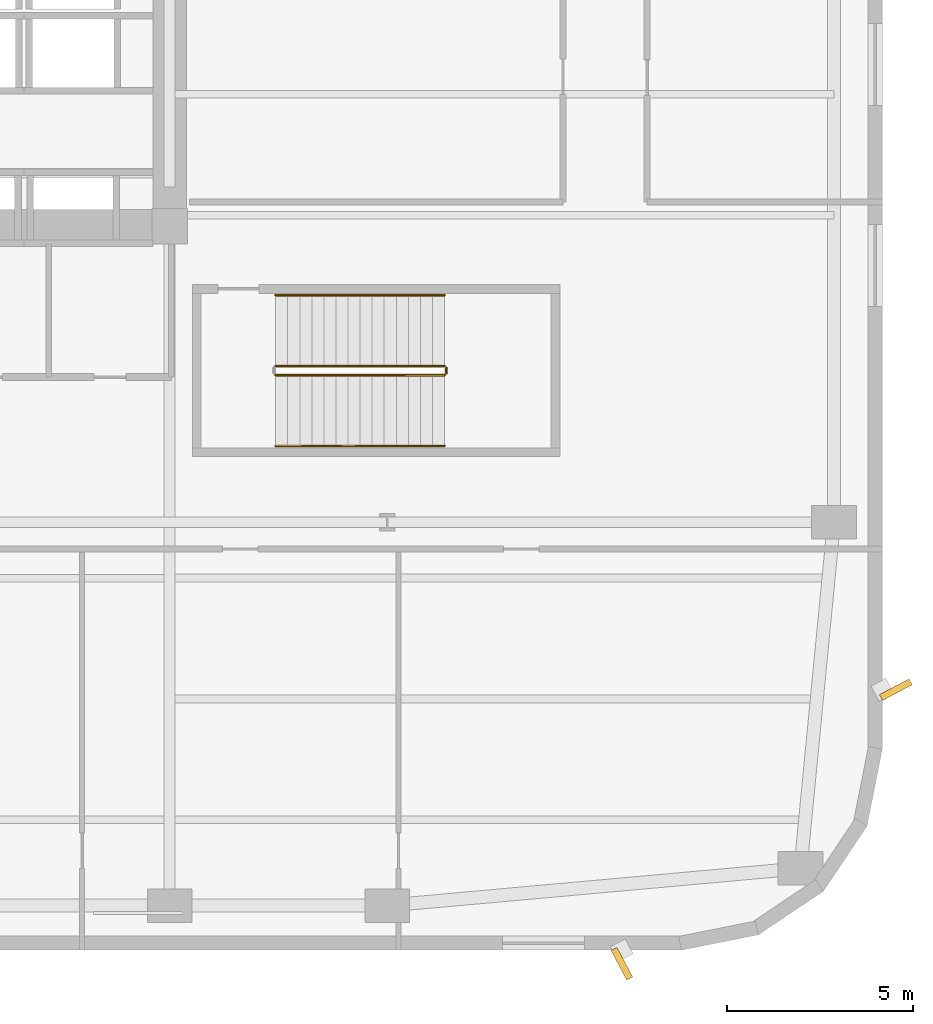
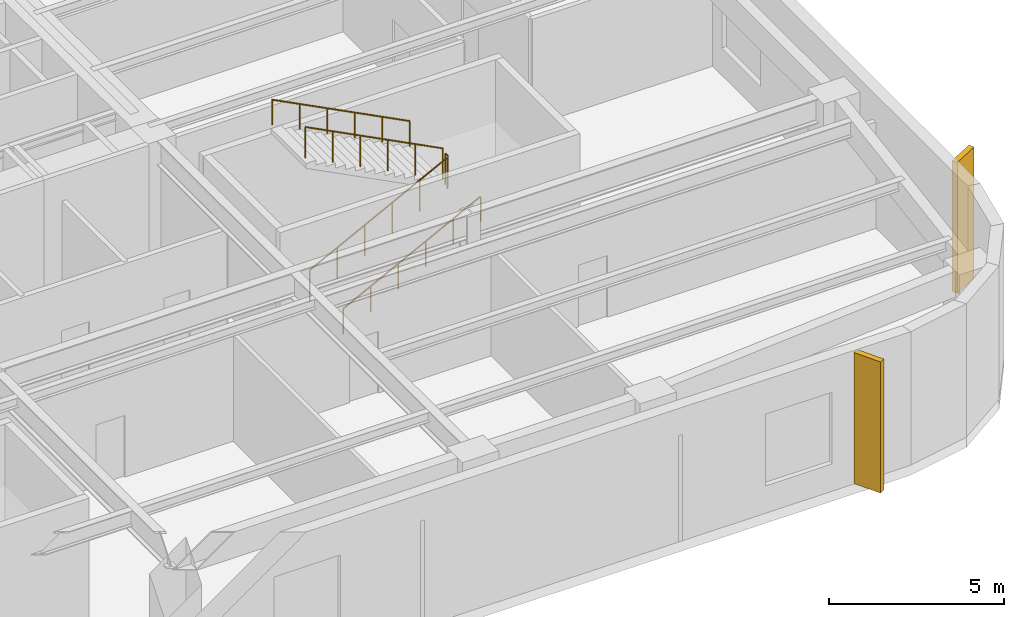
# One storey, part 21 of 22: 5 railings, 2 shading devices.
"""IFC4 building model written with IfcOpenShell, lengths in metres."""

from ifc_helpers import new_model, si_unit, direction, frame, origin, origin_2d, place, context, subcontext, project, spatial, rectangle, circle, extrude, material, type_object, element, save


model = new_model("IFC4")

# Units and contexts
model_context = context("Model", 3, precision=1e-05, world=origin(), true_north=direction((0.0, 1.0)))
body_context = subcontext(model_context, "Body", "Model", "MODEL_VIEW")
ifc_project = project(units=[si_unit("LENGTHUNIT", "METRE"), si_unit("AREAUNIT", "SQUARE_METRE"), si_unit("VOLUMEUNIT", "CUBIC_METRE"), si_unit("PLANEANGLEUNIT", "RADIAN"), si_unit("MASSUNIT", "GRAM", prefix="KILO")], contexts=[model_context])

# Site, building, storey
site_placement = place(None, origin())
site = spatial("IfcSite", under=ifc_project, at=site_placement, CompositionType="ELEMENT")
building_placement = place(site_placement, origin())
building = spatial("IfcBuilding", under=site, at=building_placement, Name="Kolvaren Arena Tower", CompositionType="ELEMENT")
storey_placement = place(building_placement, frame((0.0, 0.0, 13.0)))
storey = spatial("IfcBuildingStorey", under=building, at=storey_placement, Name="L02", CompositionType="ELEMENT", Elevation=13.0)

# Railings
ifc_material_1 = material(Name="Painted galvanized steel", Category="steel")
railing_type_1 = type_object("IfcRailingType", Name="GUARD-ST-110", PredefinedType="GUARDRAIL", material=ifc_material_1)
railing_1_placement = place(storey_placement, frame((63.199951171875, 15.449951171875, 0.166748046875)))
element("IfcRailing", 1, at=railing_1_placement, inside=storey, type_object=railing_type_1, Name="L02 ST-A4 stair guard 1", PredefinedType="GUARDRAIL", context=body_context, shape_type="SweptSolid", body=[
    extrude(circle(Radius=0.02392578125, at=origin_2d()), frame((0.0, 0.0, 1.076171875), z_axis=(0.889257211316, 0.0, 0.457407490234), x_axis=(0.0, 1.0, 0.0)), (0.0, 0.0, 1.0), 5.10107421875),
    extrude(circle(Radius=0.02099609375, at=origin_2d()), origin(), (0.0, 0.0, 1.0), 1.052001953125),
    extrude(circle(Radius=0.02099609375, at=origin_2d()), frame((0.9072265625, 0.0, 0.466552734375)), (0.0, 0.0, 1.0), 1.052001953125),
    extrude(circle(Radius=0.02099609375, at=origin_2d()), frame((1.814453125, 0.0, 0.933349609375)), (0.0, 0.0, 1.0), 1.052001953125),
    extrude(circle(Radius=0.02099609375, at=origin_2d()), frame((2.7216796875, 0.0, 1.39990234375)), (0.0, 0.0, 1.0), 1.052001953125),
    extrude(circle(Radius=0.02099609375, at=origin_2d()), frame((3.62890625, 0.0, 1.86669921875)), (0.0, 0.0, 1.0), 1.052001953125),
    extrude(circle(Radius=0.02099609375, at=origin_2d()), frame((4.5361328125, 0.0, 2.333251953125)), (0.0, 0.0, 1.0), 1.052001953125),
])
railing_2_placement = place(storey_placement, frame((67.785888671875, 15.5, 2.5)))
element("IfcRailing", 2, at=railing_2_placement, inside=storey, type_object=railing_type_1, Name="L02 ST-A4 stair guard 2", PredefinedType="GUARDRAIL", context=body_context, shape_type="SweptSolid", body=[
    extrude(circle(Radius=0.02392578125, at=origin_2d()), frame((0.0, 0.0, 1.076171875), z_axis=(0.0, 1.0, 0.0), x_axis=(-1.0, 0.0, 0.0)), (0.0, 0.0, 1.0), 0.14990234375),
    extrude(circle(Radius=0.02099609375, at=origin_2d()), origin(), (0.0, 0.0, 1.0), 1.052001953125),
    extrude(circle(Radius=0.02099609375, at=origin_2d()), frame((0.0, 0.14990234375, 0.0)), (0.0, 0.0, 1.0), 1.052001953125),
])
railing_3_placement = place(storey_placement, frame((67.736083984375, 15.699951171875, 2.666748046875)))
element("IfcRailing", 3, at=railing_3_placement, inside=storey, type_object=railing_type_1, Name="L02 ST-A4 stair guard 3", PredefinedType="GUARDRAIL", context=body_context, shape_type="SweptSolid", body=[
    extrude(circle(Radius=0.02392578125, at=origin_2d()), frame((0.0, 0.0, 1.076171875), z_axis=(-0.889257211316, 0.0, 0.457407490234), x_axis=(0.0, -1.0, 0.0)), (0.0, 0.0, 1.0), 5.10107421875),
    extrude(circle(Radius=0.02099609375, at=origin_2d()), origin(), (0.0, 0.0, 1.0), 1.052001953125),
    extrude(circle(Radius=0.02099609375, at=origin_2d()), frame((-0.9072265625, 0.0, 0.466552734375)), (0.0, 0.0, 1.0), 1.052001953125),
    extrude(circle(Radius=0.02099609375, at=origin_2d()), frame((-1.814453125, 0.0, 0.933349609375)), (0.0, 0.0, 1.0), 1.052001953125),
    extrude(circle(Radius=0.02099609375, at=origin_2d()), frame((-2.7216796875, 0.0, 1.39990234375)), (0.0, 0.0, 1.0), 1.052001953125),
    extrude(circle(Radius=0.02099609375, at=origin_2d()), frame((-3.62890625, 0.0, 1.86669921875)), (0.0, 0.0, 1.0), 1.052001953125),
    extrude(circle(Radius=0.02099609375, at=origin_2d()), frame((-4.5361328125, 0.0, 2.333251953125)), (0.0, 0.0, 1.0), 1.052001953125),
])
ifc_material_2 = material(Name="Brushed stainless steel handrail", Category="steel")
railing_type_2 = type_object("IfcRailingType", Name="HRAIL-900", PredefinedType="HANDRAIL", material=ifc_material_2)
railing_4_placement = place(storey_placement, frame((63.199951171875, 13.550048828125, 0.166748046875)))
element("IfcRailing", 4, at=railing_4_placement, inside=storey, type_object=railing_type_2, Name="L02 ST-A4 stair handrail 1", PredefinedType="HANDRAIL", context=body_context, shape_type="SweptSolid", body=[
    extrude(circle(Radius=0.02392578125, at=origin_2d()), frame((0.0, 0.0, 0.8759765625), z_axis=(0.889257211316, 0.0, 0.457407490234), x_axis=(0.0, 1.0, 0.0)), (0.0, 0.0, 1.0), 5.10107421875),
    extrude(circle(Radius=0.02099609375, at=origin_2d()), origin(), (0.0, 0.0, 1.0), 0.851806640625),
    extrude(circle(Radius=0.02099609375, at=origin_2d()), frame((0.9072265625, 0.0, 0.466552734375)), (0.0, 0.0, 1.0), 0.851806640625),
    extrude(circle(Radius=0.02099609375, at=origin_2d()), frame((1.814453125, 0.0, 0.933349609375)), (0.0, 0.0, 1.0), 0.851806640625),
    extrude(circle(Radius=0.02099609375, at=origin_2d()), frame((2.7216796875, 0.0, 1.39990234375)), (0.0, 0.0, 1.0), 0.851806640625),
    extrude(circle(Radius=0.02099609375, at=origin_2d()), frame((3.62890625, 0.0, 1.86669921875)), (0.0, 0.0, 1.0), 0.851806640625),
    extrude(circle(Radius=0.02099609375, at=origin_2d()), frame((4.5361328125, 0.0, 2.333251953125)), (0.0, 0.0, 1.0), 0.851806640625),
])
railing_5_placement = place(storey_placement, frame((67.736083984375, 17.60009765625, 2.666748046875)))
element("IfcRailing", 5, at=railing_5_placement, inside=storey, type_object=railing_type_2, Name="L02 ST-A4 stair handrail 2", PredefinedType="HANDRAIL", context=body_context, shape_type="SweptSolid", body=[
    extrude(circle(Radius=0.02392578125, at=origin_2d()), frame((0.0, 0.0, 0.8759765625), z_axis=(-0.889257211316, 0.0, 0.457407490234), x_axis=(0.0, -1.0, 0.0)), (0.0, 0.0, 1.0), 5.10107421875),
    extrude(circle(Radius=0.02099609375, at=origin_2d()), origin(), (0.0, 0.0, 1.0), 0.851806640625),
    extrude(circle(Radius=0.02099609375, at=origin_2d()), frame((-0.9072265625, 0.0, 0.466552734375)), (0.0, 0.0, 1.0), 0.851806640625),
    extrude(circle(Radius=0.02099609375, at=origin_2d()), frame((-1.814453125, 0.0, 0.933349609375)), (0.0, 0.0, 1.0), 0.851806640625),
    extrude(circle(Radius=0.02099609375, at=origin_2d()), frame((-2.7216796875, 0.0, 1.39990234375)), (0.0, 0.0, 1.0), 0.851806640625),
    extrude(circle(Radius=0.02099609375, at=origin_2d()), frame((-3.62890625, 0.0, 1.86669921875)), (0.0, 0.0, 1.0), 0.851806640625),
    extrude(circle(Radius=0.02099609375, at=origin_2d()), frame((-4.5361328125, 0.0, 2.333251953125)), (0.0, 0.0, 1.0), 0.851806640625),
])

# Shading devices
ifc_material_3 = material(Name="Precast architectural concrete C50/60 rib fin", Category="concrete")
shading_device_type = type_object("IfcShadingDeviceType", Name="SHAD-FIN-28", PredefinedType="USERDEFINED", material=ifc_material_3)
for number, where, z_axis, x_axis, name in (
    (6, (79.860107421875, 7.0, 0.02001953125), (0.0, 0.0, 1.0), (0.882947592859, 0.469471562786, 0.0), "Arena Podium 28-Deg Precast Fin (L02)"),
    (7, (72.5, -0.360107421875, 0.02001953125), (0.0, 0.0, 1.0), (0.469471562786, -0.882947592859, 0.0), "Arena Podium 28-Deg Precast Fin (L02)"),
):
    element("IfcShadingDevice", number, at=place(storey_placement, frame(where, z_axis=z_axis, x_axis=x_axis)), inside=storey, type_object=shading_device_type, Name=name, ObjectType="FIN", PredefinedType="USERDEFINED", context=body_context, shape_type="SweptSolid", body=[
        extrude(rectangle(XDim=0.89990234375, YDim=0.179931640625, at=origin_2d()), origin(), (0.0, 0.0, 1.0), 4.570068359375),
    ])

save(model, "model.ifc")
